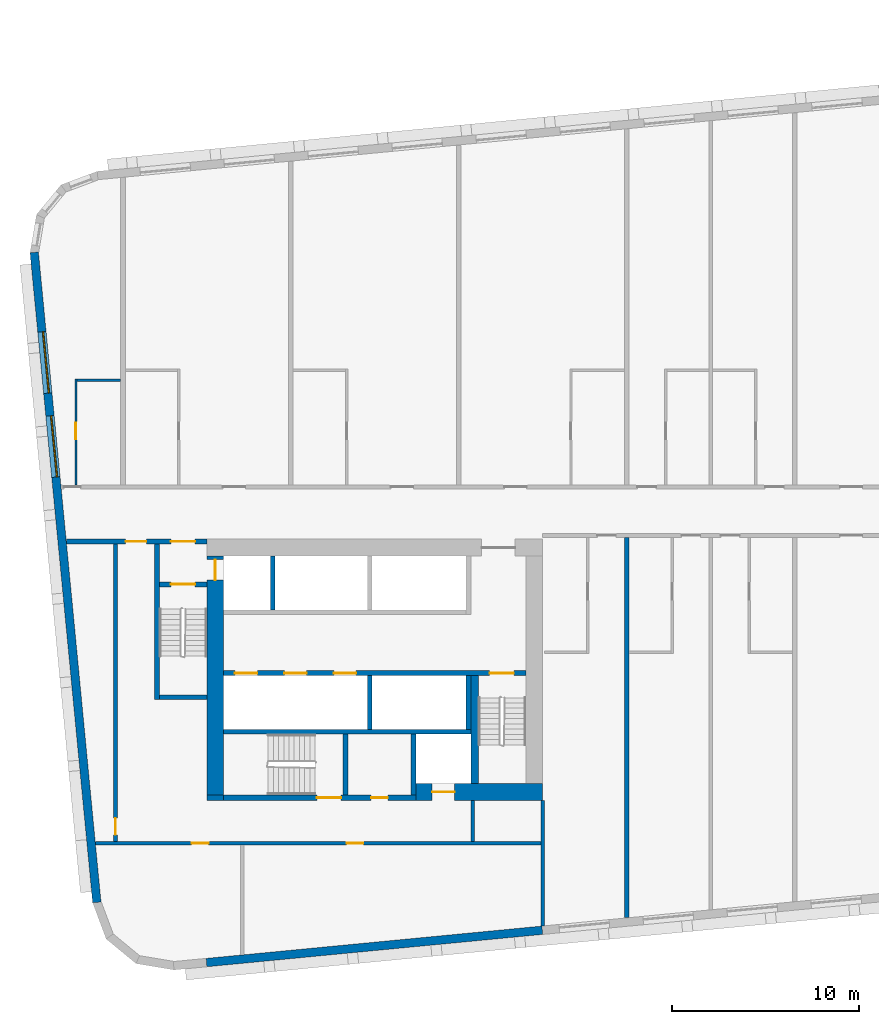
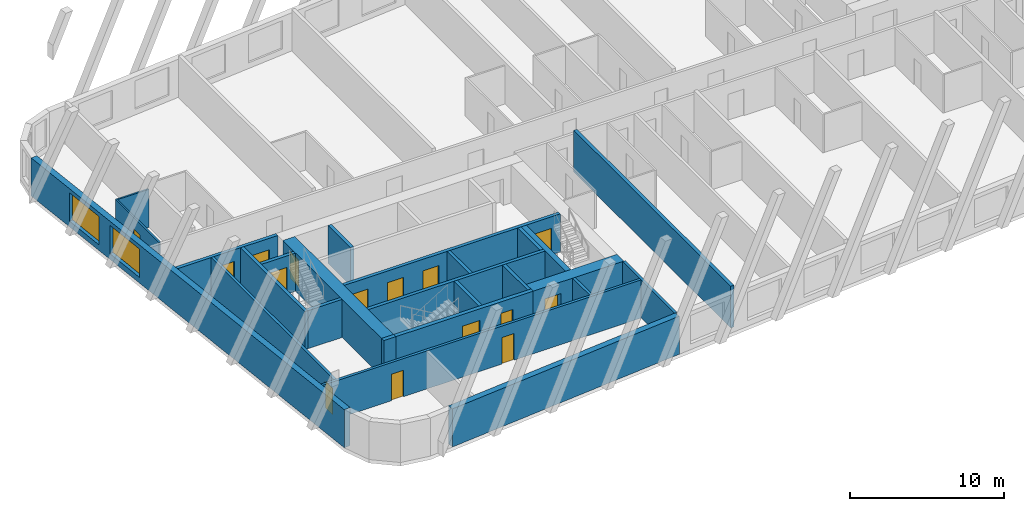
# One storey, part 2 of 13: 25 walls, 15 doors, 2 windows, 17 openings.
"""IFC4 building model written with IfcOpenShell, lengths in metres."""

from ifc_helpers import new_model, si_unit, direction, frame, frame_2d, origin, place, context, subcontext, project, spatial, rectangle, extrude, material, layer, layer_set, type_object, element, fill, save


model = new_model("IFC4")

# Units and contexts
model_context = context("Model", 3, precision=1e-05, world=origin(), true_north=direction((0.0, 1.0)))
body_context = subcontext(model_context, "Body", "Model", "MODEL_VIEW")
ifc_project = project(units=[si_unit("LENGTHUNIT", "METRE"), si_unit("AREAUNIT", "SQUARE_METRE"), si_unit("VOLUMEUNIT", "CUBIC_METRE"), si_unit("PLANEANGLEUNIT", "RADIAN"), si_unit("MASSUNIT", "GRAM", prefix="KILO")], contexts=[model_context])

# Site, building, storey
site_placement = place(None, origin())
site = spatial("IfcSite", under=ifc_project, at=site_placement, CompositionType="ELEMENT")
building_placement = place(site_placement, origin())
building = spatial("IfcBuilding", under=site, at=building_placement, Name="Kajstack Hotel Tower", CompositionType="ELEMENT")
storey_placement = place(building_placement, frame((0.0, 0.0, 140.5)))
storey = spatial("IfcBuildingStorey", under=building, at=storey_placement, Name="L32", CompositionType="ELEMENT", Elevation=140.5)

# Wall, opening, door
ifc_material_1 = material(Name="Concrete C60/75", Category="concrete")
ifc_layer_1 = layer(ifc_material_1, 0.89990234375)
ifc_layer_set_1 = layer_set([ifc_layer_1], Name="Core wall 900")
wall_type_1 = type_object("IfcWallType", Name="Core wall 900", PredefinedType="SHEAR", material=ifc_layer_set_1)
wall_1_placement = place(storey_placement, frame((-20.300048828125, -15.050048828125, 0.0), z_axis=(0.0, 0.0, 1.0), x_axis=(1.0, 0.0, 0.0)))
wall_1 = element("IfcWall", 1, at=wall_1_placement, inside=storey, type_object=wall_type_1, Name="Core wall W RS", PredefinedType="SHEAR", context=body_context, shape_type="SweptSolid", body=[
    extrude(rectangle(XDim=6.800048828125, YDim=0.89990234375, at=frame_2d((3.39990234375, 0.0))), origin(), (0.0, 0.0, 1.0), 3.02001953125),
])
opening_1_placement = place(wall_1_placement, frame((0.875, 0.0, 0.0)))
opening_1 = element("IfcOpeningElement", 2, at=opening_1_placement, cuts=wall_1, Name="Opening LD-SV1", PredefinedType="OPENING", context=body_context, shape_type="SweptSolid", body=[
    extrude(rectangle(XDim=1.199951171875, YDim=2.10009765625, at=frame_2d((0.60009765625, 1.050048828125))), frame((0.0, 0.4599609375, 0.0), z_axis=(0.0, -1.0, 0.0), x_axis=(1.0, 0.0, 0.0)), (0.0, 0.0, 1.0), 0.919921875),
])
ifc_material_2 = material(Name="Stainless steel", Category="steel")
door_type_1 = type_object("IfcDoorType", Name="Lift landing door 1200", OperationType="SLIDING_TO_LEFT", PredefinedType="DOOR", material=ifc_material_2)
door_1_placement = place(opening_1_placement, origin())
door_1 = element("IfcDoor", 3, at=door_1_placement, inside=storey, type_object=door_type_1, Name="Landing door SV1", OperationType="SLIDING_TO_LEFT", OverallHeight=2.10009765625, OverallWidth=1.199951171875, PredefinedType="DOOR", context=body_context, shape_type="SweptSolid", body=[
    extrude(rectangle(XDim=1.199951171875, YDim=2.10009765625, at=frame_2d((0.60009765625, 1.050048828125))), frame((0.0, 0.02490234375, 0.0), z_axis=(0.0, -1.0, 0.0), x_axis=(1.0, 0.0, 0.0)), (0.0, 0.0, 1.0), 0.050048828125),
])
fill(opening_1, door_1)

# Wall
wall_2_placement = place(storey_placement, frame((-31.5, -15.35009765625, 0.0), z_axis=(0.0, 0.0, 1.0), x_axis=(1.0, 0.0, 0.0)))
element("IfcWall", 4, at=wall_2_placement, inside=storey, type_object=wall_type_1, Name="Core wall W RSW", PredefinedType="SHEAR", context=body_context, shape_type="SweptSolid", body=[
    extrude(rectangle(XDim=0.89990234375, YDim=0.300048828125, at=frame_2d((0.449951171875, 0.0))), origin(), (0.0, 0.0, 1.0), 3.02001953125),
])

# Wall, opening, door
wall_3_placement = place(storey_placement, frame((-31.050048828125, -15.199951171875, 0.0), z_axis=(0.0, 0.0, 1.0), x_axis=(0.0, 1.0, 0.0)))
wall_3 = element("IfcWall", 5, at=wall_3_placement, inside=storey, type_object=wall_type_1, Name="Core wall W RW", PredefinedType="SHEAR", context=body_context, shape_type="SweptSolid", body=[
    extrude(rectangle(XDim=12.800048828125, YDim=0.89990234375, at=frame_2d((6.39990234375, 0.0))), origin(), (0.0, 0.0, 1.0), 3.02001953125),
])
opening_2_placement = place(wall_3_placement, frame((11.5, 0.0, 0.0)))
opening_2 = element("IfcOpeningElement", 6, at=opening_2_placement, cuts=wall_3, Name="Opening LD-FF1", PredefinedType="OPENING", context=body_context, shape_type="SweptSolid", body=[
    extrude(rectangle(XDim=1.10009765625, YDim=2.10009765625, at=frame_2d((0.550048828125, 1.050048828125))), frame((0.0, 0.4599609375, 0.0), z_axis=(0.0, -1.0, 0.0), x_axis=(1.0, 0.0, 0.0)), (0.0, 0.0, 1.0), 0.919921875),
])
door_type_2 = type_object("IfcDoorType", Name="Fire-fighting lift landing door 1100", OperationType="SLIDING_TO_LEFT", PredefinedType="DOOR", material=ifc_material_2)
door_2_placement = place(opening_2_placement, origin())
door_2 = element("IfcDoor", 7, at=door_2_placement, inside=storey, type_object=door_type_2, Name="Landing door FF1", OperationType="SLIDING_TO_RIGHT", OverallHeight=2.10009765625, OverallWidth=1.10009765625, PredefinedType="DOOR", context=body_context, shape_type="SweptSolid", body=[
    extrude(rectangle(XDim=1.10009765625, YDim=2.10009765625, at=frame_2d((0.550048828125, 1.050048828125))), frame((0.0, 0.02490234375, 0.0), z_axis=(0.0, -1.0, 0.0), x_axis=(1.0, 0.0, 0.0)), (0.0, 0.0, 1.0), 0.050048828125),
])
fill(opening_2, door_2)

# Walls
ifc_material_3 = material(Name="Twin-frame gypsum board on steel studs, mineral wool", Category="steel")
ifc_layer_2 = layer(ifc_material_3, 0.199951171875)
ifc_layer_set_2 = layer_set([ifc_layer_2], Name="Demising wall 200")
wall_type_2 = type_object("IfcWallType", Name="Demising wall 200", PredefinedType="PARTITIONING", material=ifc_layer_set_2)
wall_4_placement = place(storey_placement, frame((-13.5, -22.23193359375, 0.0), z_axis=(0.0, 0.0, 1.0), x_axis=(0.0, 1.0, 0.0)))
element("IfcWall", 8, at=wall_4_placement, inside=storey, type_object=wall_type_2, Name="G-wall-L32-002", PredefinedType="PARTITIONING", context=body_context, shape_type="SweptSolid", body=[
    extrude(rectangle(XDim=6.73193359375, YDim=0.199951171875, at=frame_2d((3.365966796875, 0.0))), origin(), (0.0, 0.0, 1.0), 3.02001953125),
])
ifc_material_4 = material(Name="Concrete C40/50", Category="concrete")
ifc_layer_3 = layer(ifc_material_4, 0.449951171875)
ifc_layer_set_3 = layer_set([ifc_layer_3], Name="EW-CORE")
wall_type_3 = type_object("IfcWallType", Name="EW-CORE", PredefinedType="SOLIDWALL", material=ifc_layer_set_3)
wall_5_placement = place(storey_placement, frame((-31.521484375, -24.193603515625, 0.0), z_axis=(0.0, 0.0, 1.0), x_axis=(0.995396454615, 0.095843091245, 0.0)))
element("IfcWall", 9, at=wall_5_placement, inside=storey, type_object=wall_type_3, Name="E-wall-L32-04-01", PredefinedType="SOLIDWALL", context=body_context, shape_type="SweptSolid", body=[
    extrude(rectangle(XDim=18.083251953125, YDim=0.449951171875, at=frame_2d((9.04150390625, 0.0))), origin(), (0.0, 0.0, 1.0), 3.02001953125),
])

# Wall, openings, windows
ifc_material_5 = material(Name="Terracotta-faced brick masonry", Category="masonry")
ifc_layer_4 = layer(ifc_material_5, 0.449951171875)
ifc_layer_set_4 = layer_set([ifc_layer_4], Name="EW-TERRA")
wall_type_4 = type_object("IfcWallType", Name="EW-TERRA", PredefinedType="SOLIDWALL", material=ifc_layer_set_4)
wall_6_placement = place(storey_placement, frame((-40.7529296875, 13.87158203125, 0.0), z_axis=(0.0, 0.0, 1.0), x_axis=(0.095843327381, -0.995396431878, 0.0)))
wall_6 = element("IfcWall", 10, at=wall_6_placement, inside=storey, type_object=wall_type_4, Name="E-wall-L32-00-00", PredefinedType="SOLIDWALL", context=body_context, shape_type="SweptSolid", body=[
    extrude(rectangle(XDim=34.999755859375, YDim=0.449951171875, at=frame_2d((17.5, 0.0))), origin(), (0.0, 0.0, 1.0), 3.02001953125),
])
opening_3_placement = place(wall_6_placement, frame((4.27734375, 0.0, 0.449951171875)))
opening_3 = element("IfcOpeningElement", 11, at=opening_3_placement, cuts=wall_6, Name="Opening W2", PredefinedType="OPENING", context=body_context, shape_type="SweptSolid", body=[
    extrude(rectangle(XDim=3.300048828125, YDim=2.25, at=frame_2d((1.64990234375, 1.125))), frame((0.0, 0.23486328125, 0.0), z_axis=(0.0, -1.0, 0.0), x_axis=(1.0, 0.0, 0.0)), (0.0, 0.0, 1.0), 0.469970703125),
])
opening_4_placement = place(wall_6_placement, frame((8.798095703125, 0.0, 0.449951171875)))
opening_4 = element("IfcOpeningElement", 12, at=opening_4_placement, cuts=wall_6, Name="Opening W2", PredefinedType="OPENING", context=body_context, shape_type="SweptSolid", body=[
    extrude(rectangle(XDim=3.300048828125, YDim=2.25, at=frame_2d((1.64990234375, 1.125))), frame((0.0, 0.23486328125, 0.0), z_axis=(0.0, -1.0, 0.0), x_axis=(1.0, 0.0, 0.0)), (0.0, 0.0, 1.0), 0.469970703125),
])
ifc_material_6 = material(Name="Timber-aluminium window, triple glazed", Category="wood")
window_type = type_object("IfcWindowType", Name="WG2", PartitioningType="SINGLE_PANEL", PredefinedType="WINDOW", material=ifc_material_6)
window_1_placement = place(opening_3_placement, origin())
window_1 = element("IfcWindow", 13, at=window_1_placement, inside=storey, type_object=window_type, Name="Window W2 L32-00", OverallHeight=2.25, OverallWidth=3.300048828125, PartitioningType="SINGLE_PANEL", PredefinedType="WINDOW", context=body_context, shape_type="SweptSolid", body=[
    extrude(rectangle(XDim=3.300048828125, YDim=2.25, at=frame_2d((1.64990234375, 1.125))), frame((0.0, 0.090087890625, 0.0), z_axis=(0.0, -1.0, 0.0), x_axis=(1.0, 0.0, 0.0)), (0.0, 0.0, 1.0), 0.06005859375),
])
fill(opening_3, window_1)
window_2_placement = place(opening_4_placement, origin())
window_2 = element("IfcWindow", 14, at=window_2_placement, inside=storey, type_object=window_type, Name="Window W2 L32-00", OverallHeight=2.25, OverallWidth=3.300048828125, PartitioningType="SINGLE_PANEL", PredefinedType="WINDOW", context=body_context, shape_type="SweptSolid", body=[
    extrude(rectangle(XDim=3.300048828125, YDim=2.25, at=frame_2d((1.64990234375, 1.125))), frame((0.0, 0.090087890625, 0.0), z_axis=(0.0, -1.0, 0.0), x_axis=(1.0, 0.0, 0.0)), (0.0, 0.0, 1.0), 0.06005859375),
])
fill(opening_4, window_2)

# Wall, opening, door
ifc_material_7 = material(Name="Gypsum board and tiled backer on steel studs", Category="steel")
ifc_layer_5 = layer(ifc_material_7, 0.125)
ifc_layer_set_5 = layer_set([ifc_layer_5], Name="En-suite wall 125")
wall_type_5 = type_object("IfcWallType", Name="En-suite wall 125", PredefinedType="PARTITIONING", material=ifc_layer_set_5)
wall_7_placement = place(storey_placement, frame((-38.51904296875, 1.39990234375, 0.0), z_axis=(0.0, 0.0, 1.0), x_axis=(0.0, 1.0, 0.0)))
wall_7 = element("IfcWall", 15, at=wall_7_placement, inside=storey, type_object=wall_type_5, Name="G-wall-L32-004", PredefinedType="PARTITIONING", context=body_context, shape_type="SweptSolid", body=[
    extrude(rectangle(XDim=5.68408203125, YDim=0.125, at=frame_2d((2.842041015625, 0.0))), origin(), (0.0, 0.0, 1.0), 3.02001953125),
])
opening_5_placement = place(wall_7_placement, frame((2.449951171875, 0.0, 0.0)))
opening_5 = element("IfcOpeningElement", 16, at=opening_5_placement, cuts=wall_7, Name="Opening 32002", PredefinedType="OPENING", context=body_context, shape_type="SweptSolid", body=[
    extrude(rectangle(XDim=0.89990234375, YDim=2.10009765625, at=frame_2d((0.449951171875, 1.050048828125))), frame((0.0, 0.072509765625, 0.0), z_axis=(0.0, -1.0, 0.0), x_axis=(1.0, 0.0, 0.0)), (0.0, 0.0, 1.0), 0.14501953125),
])
ifc_material_8 = material(Name="Painted timber door leaf", Category="wood")
door_type_3 = type_object("IfcDoorType", Name="Room door 900", OperationType="SINGLE_SWING_LEFT", PredefinedType="DOOR", material=ifc_material_8)
door_3_placement = place(opening_5_placement, origin())
door_3 = element("IfcDoor", 17, at=door_3_placement, inside=storey, type_object=door_type_3, Name="G-door-L32-02", OperationType="SINGLE_SWING_RIGHT", OverallHeight=2.10009765625, OverallWidth=0.89990234375, PredefinedType="DOOR", context=body_context, shape_type="SweptSolid", body=[
    extrude(rectangle(XDim=0.89990234375, YDim=2.10009765625, at=frame_2d((0.449951171875, 1.050048828125))), frame((0.0, 0.02490234375, 0.0), z_axis=(0.0, -1.0, 0.0), x_axis=(1.0, 0.0, 0.0)), (0.0, 0.0, 1.0), 0.050048828125),
])
fill(opening_5, door_3)

# Walls
wall_8_placement = place(storey_placement, frame((-38.45703125, 7.02197265625, 0.0), z_axis=(0.0, 0.0, 1.0), x_axis=(1.0, 0.0, 0.0)))
element("IfcWall", 18, at=wall_8_placement, inside=storey, type_object=wall_type_5, Name="G-wall-L32-005", PredefinedType="PARTITIONING", context=body_context, shape_type="SweptSolid", body=[
    extrude(rectangle(XDim=2.33203125, YDim=0.125, at=frame_2d((1.166015625, 0.0))), origin(), (0.0, 0.0, 1.0), 3.02001953125),
])
ifc_material_9 = material(Name="Concrete C50/60", Category="concrete")
ifc_layer_6 = layer(ifc_material_9, 0.300048828125)
ifc_layer_set_6 = layer_set([ifc_layer_6], Name="Hoistway divider wall 300")
wall_type_6 = type_object("IfcWallType", Name="Hoistway divider wall 300", PredefinedType="SHEAR", material=ifc_layer_set_6)
wall_9_placement = place(storey_placement, frame((-22.77490234375, -11.699951171875, 0.0), z_axis=(0.0, 0.0, 1.0), x_axis=(0.0, 1.0, 0.0)))
element("IfcWall", 19, at=wall_9_placement, inside=storey, type_object=wall_type_6, Name="Core wall W BP2", PredefinedType="SHEAR", context=body_context, shape_type="SweptSolid", body=[
    extrude(rectangle(XDim=2.89990234375, YDim=0.25, at=frame_2d((1.449951171875, 0.0))), origin(), (0.0, 0.0, 1.0), 3.02001953125),
])
ifc_material_10 = material(Name="Concrete C55/67", Category="concrete")
ifc_layer_7 = layer(ifc_material_10, 0.25)
ifc_layer_set_7 = layer_set([ifc_layer_7], Name="RC cross wall 250 C55/67")
wall_type_7 = type_object("IfcWallType", Name="RC cross wall 250 C55/67", PredefinedType="SHEAR", material=ifc_layer_set_7)
wall_10_placement = place(storey_placement, frame((-9.0, -21.777099609375, 0.0), z_axis=(0.0, 0.0, 1.0), x_axis=(0.0, 1.0, 0.0)))
element("IfcWall", 20, at=wall_10_placement, inside=storey, type_object=wall_type_7, Name="S-wall-L32-04", PredefinedType="SHEAR", context=body_context, shape_type="SweptSolid", body=[
    extrude(rectangle(XDim=20.377197265625, YDim=0.25, at=frame_2d((10.1884765625, 0.0))), origin(), (0.0, 0.0, 1.0), 3.300048828125),
])

# Wall, openings, doors
ifc_material_11 = material(Name="Gypsum board on steel studs, mineral wool", Category="steel")
ifc_layer_8 = layer(ifc_material_11, 0.199951171875)
ifc_layer_set_8 = layer_set([ifc_layer_8], Name="Service partition 200")
wall_type_8 = type_object("IfcWallType", Name="Service partition 200", PredefinedType="PARTITIONING", material=ifc_layer_set_8)
wall_11_placement = place(storey_placement, frame((-39.034912109375, -1.625, 0.0), z_axis=(0.0, 0.0, 1.0), x_axis=(1.0, 0.0, 0.0)))
wall_11 = element("IfcWall", 21, at=wall_11_placement, inside=storey, type_object=wall_type_8, Name="Partition W SN", PredefinedType="PARTITIONING", context=body_context, shape_type="SweptSolid", body=[
    extrude(rectangle(XDim=7.534912109375, YDim=0.25, at=frame_2d((3.767578125, 0.0))), origin(), (0.0, 0.0, 1.0), 3.02001953125),
])
opening_6_placement = place(wall_11_placement, frame((5.60986328125, 0.0, 0.0)))
opening_6 = element("IfcOpeningElement", 22, at=opening_6_placement, cuts=wall_11, Name="Opening 32W07", PredefinedType="OPENING", context=body_context, shape_type="SweptSolid", body=[
    extrude(rectangle(XDim=1.300048828125, YDim=2.10009765625, at=frame_2d((0.64990234375, 1.050048828125))), frame((0.0, 0.135009765625, 0.0), z_axis=(0.0, -1.0, 0.0), x_axis=(1.0, 0.0, 0.0)), (0.0, 0.0, 1.0), 0.27001953125),
])
opening_7_placement = place(wall_11_placement, frame((3.184814453125, 0.0, 0.0)))
opening_7 = element("IfcOpeningElement", 23, at=opening_7_placement, cuts=wall_11, Name="Opening 32W09", PredefinedType="OPENING", context=body_context, shape_type="SweptSolid", body=[
    extrude(rectangle(XDim=1.10009765625, YDim=2.10009765625, at=frame_2d((0.550048828125, 1.050048828125))), frame((0.0, 0.135009765625, 0.0), z_axis=(0.0, -1.0, 0.0), x_axis=(1.0, 0.0, 0.0)), (0.0, 0.0, 1.0), 0.27001953125),
])
ifc_material_12 = material(Name="Steel leaf, fire-rated", Category="steel")
door_type_4 = type_object("IfcDoorType", Name="Fire lobby door 1300", OperationType="SINGLE_SWING_LEFT", PredefinedType="DOOR", material=ifc_material_12)
door_4_placement = place(opening_6_placement, origin())
door_4 = element("IfcDoor", 24, at=door_4_placement, inside=storey, type_object=door_type_4, Name="Door 32W07", OperationType="SINGLE_SWING_RIGHT", OverallHeight=2.10009765625, OverallWidth=1.300048828125, PredefinedType="DOOR", context=body_context, shape_type="SweptSolid", body=[
    extrude(rectangle(XDim=1.300048828125, YDim=2.10009765625, at=frame_2d((0.64990234375, 1.050048828125))), frame((0.0, 0.02490234375, 0.0), z_axis=(0.0, -1.0, 0.0), x_axis=(1.0, 0.0, 0.0)), (0.0, 0.0, 1.0), 0.050048828125),
])
fill(opening_6, door_4)
ifc_material_13 = material(Name="Timber leaf, fire-rated", Category="wood")
door_type_5 = type_object("IfcDoorType", Name="Service corridor door 1100", OperationType="SINGLE_SWING_LEFT", PredefinedType="DOOR", material=ifc_material_13)
door_5_placement = place(opening_7_placement, origin())
door_5 = element("IfcDoor", 25, at=door_5_placement, inside=storey, type_object=door_type_5, Name="Door 32W09", OperationType="SINGLE_SWING_RIGHT", OverallHeight=2.10009765625, OverallWidth=1.10009765625, PredefinedType="DOOR", context=body_context, shape_type="SweptSolid", body=[
    extrude(rectangle(XDim=1.10009765625, YDim=2.10009765625, at=frame_2d((0.550048828125, 1.050048828125))), frame((0.0, 0.02490234375, 0.0), z_axis=(0.0, -1.0, 0.0), x_axis=(1.0, 0.0, 0.0)), (0.0, 0.0, 1.0), 0.050048828125),
])
fill(opening_7, door_5)

# Wall
wall_12_placement = place(storey_placement, frame((-17.25, -17.699951171875, 0.0), z_axis=(0.0, 0.0, 1.0), x_axis=(0.0, 1.0, 0.0)))
element("IfcWall", 26, at=wall_12_placement, inside=storey, type_object=wall_type_8, Name="Partition W SCE", PredefinedType="PARTITIONING", context=body_context, shape_type="SweptSolid", body=[
    extrude(rectangle(XDim=2.199951171875, YDim=0.199951171875, at=frame_2d((1.10009765625, 0.0))), origin(), (0.0, 0.0, 1.0), 3.02001953125),
])

# Wall, opening, door
wall_13_placement = place(storey_placement, frame((-36.39990234375, -17.699951171875, 0.0), z_axis=(0.0, 0.0, 1.0), x_axis=(0.0, 1.0, 0.0)))
wall_13 = element("IfcWall", 27, at=wall_13_placement, inside=storey, type_object=wall_type_8, Name="Partition W WRE", PredefinedType="PARTITIONING", context=body_context, shape_type="SweptSolid", body=[
    extrude(rectangle(XDim=15.949951171875, YDim=0.199951171875, at=frame_2d((7.97509765625, 0.0))), origin(), (0.0, 0.0, 1.0), 3.02001953125),
])
opening_8_placement = place(wall_13_placement, frame((0.35009765625, 0.0, 0.0)))
opening_8 = element("IfcOpeningElement", 28, at=opening_8_placement, cuts=wall_13, Name="Opening 32W15", PredefinedType="OPENING", context=body_context, shape_type="SweptSolid", body=[
    extrude(rectangle(XDim=0.89990234375, YDim=2.10009765625, at=frame_2d((0.449951171875, 1.050048828125))), frame((0.0, 0.10986328125, 0.0), z_axis=(0.0, -1.0, 0.0), x_axis=(1.0, 0.0, 0.0)), (0.0, 0.0, 1.0), 0.219970703125),
])
door_type_6 = type_object("IfcDoorType", Name="Service door 900", OperationType="SINGLE_SWING_LEFT", PredefinedType="DOOR", material=ifc_material_13)
door_6_placement = place(opening_8_placement, origin())
door_6 = element("IfcDoor", 29, at=door_6_placement, inside=storey, type_object=door_type_6, Name="Door 32W15", OperationType="SINGLE_SWING_LEFT", OverallHeight=2.10009765625, OverallWidth=0.89990234375, PredefinedType="DOOR", context=body_context, shape_type="SweptSolid", body=[
    extrude(rectangle(XDim=0.89990234375, YDim=2.10009765625, at=frame_2d((0.449951171875, 1.050048828125))), frame((0.0, 0.02490234375, 0.0), z_axis=(0.0, -1.0, 0.0), x_axis=(1.0, 0.0, 0.0)), (0.0, 0.0, 1.0), 0.050048828125),
])
fill(opening_8, door_6)

# Wall, openings, doors
wall_14_placement = place(storey_placement, frame((-37.477294921875, -17.800048828125, 0.0), z_axis=(0.0, 0.0, 1.0), x_axis=(1.0, 0.0, 0.0)))
wall_14 = element("IfcWall", 30, at=wall_14_placement, inside=storey, type_object=wall_type_8, Name="Partition W SLN", PredefinedType="PARTITIONING", context=body_context, shape_type="SweptSolid", body=[
    extrude(rectangle(XDim=23.877197265625, YDim=0.199951171875, at=frame_2d((11.9384765625, 0.0))), origin(), (0.0, 0.0, 1.0), 3.02001953125),
])
opening_9_placement = place(wall_14_placement, frame((5.164794921875, 0.0, 0.0)))
opening_9 = element("IfcOpeningElement", 31, at=opening_9_placement, cuts=wall_14, Name="Opening 32W13", PredefinedType="OPENING", context=body_context, shape_type="SweptSolid", body=[
    extrude(rectangle(XDim=0.89990234375, YDim=2.10009765625, at=frame_2d((0.449951171875, 1.050048828125))), frame((0.0, 0.10986328125, 0.0), z_axis=(0.0, -1.0, 0.0), x_axis=(1.0, 0.0, 0.0)), (0.0, 0.0, 1.0), 0.219970703125),
])
opening_10_placement = place(wall_14_placement, frame((13.46484375, 0.0, 0.0)))
opening_10 = element("IfcOpeningElement", 32, at=opening_10_placement, cuts=wall_14, Name="Opening 32W14", PredefinedType="OPENING", context=body_context, shape_type="SweptSolid", body=[
    extrude(rectangle(XDim=0.89990234375, YDim=2.10009765625, at=frame_2d((0.449951171875, 1.050048828125))), frame((0.0, 0.10986328125, 0.0), z_axis=(0.0, -1.0, 0.0), x_axis=(1.0, 0.0, 0.0)), (0.0, 0.0, 1.0), 0.219970703125),
])
door_7_placement = place(opening_9_placement, origin())
door_7 = element("IfcDoor", 33, at=door_7_placement, inside=storey, type_object=door_type_6, Name="Door 32W13", OperationType="SINGLE_SWING_RIGHT", OverallHeight=2.10009765625, OverallWidth=0.89990234375, PredefinedType="DOOR", context=body_context, shape_type="SweptSolid", body=[
    extrude(rectangle(XDim=0.89990234375, YDim=2.10009765625, at=frame_2d((0.449951171875, 1.050048828125))), frame((0.0, 0.02490234375, 0.0), z_axis=(0.0, -1.0, 0.0), x_axis=(1.0, 0.0, 0.0)), (0.0, 0.0, 1.0), 0.050048828125),
])
fill(opening_9, door_7)
door_8_placement = place(opening_10_placement, origin())
door_8 = element("IfcDoor", 34, at=door_8_placement, inside=storey, type_object=door_type_6, Name="Door 32W14", OperationType="SINGLE_SWING_RIGHT", OverallHeight=2.10009765625, OverallWidth=0.89990234375, PredefinedType="DOOR", context=body_context, shape_type="SweptSolid", body=[
    extrude(rectangle(XDim=0.89990234375, YDim=2.10009765625, at=frame_2d((0.449951171875, 1.050048828125))), frame((0.0, 0.02490234375, 0.0), z_axis=(0.0, -1.0, 0.0), x_axis=(1.0, 0.0, 0.0)), (0.0, 0.0, 1.0), 0.050048828125),
])
fill(opening_10, door_8)

ifc_layer_9 = layer(ifc_material_9, 0.25)
ifc_layer_set_9 = layer_set([ifc_layer_9], Name="Shaft wall 250")
wall_type_9 = type_object("IfcWallType", Name="Shaft wall 250", PredefinedType="SHEAR", material=ifc_layer_set_9)
wall_15_placement = place(storey_placement, frame((-30.60009765625, -15.35009765625, 0.0), z_axis=(0.0, 0.0, 1.0), x_axis=(1.0, 0.0, 0.0)))
wall_15 = element("IfcWall", 35, at=wall_15_placement, inside=storey, type_object=wall_type_9, Name="Core wall W RSS", PredefinedType="SHEAR", context=body_context, shape_type="SweptSolid", body=[
    extrude(rectangle(XDim=10.300048828125, YDim=0.300048828125, at=frame_2d((5.14990234375, 0.0))), origin(), (0.0, 0.0, 1.0), 3.02001953125),
])
opening_11_placement = place(wall_15_placement, frame((5.0, 0.0, 0.0)))
opening_11 = element("IfcOpeningElement", 36, at=opening_11_placement, cuts=wall_15, Name="Opening 32W11", PredefinedType="OPENING", context=body_context, shape_type="SweptSolid", body=[
    extrude(rectangle(XDim=1.300048828125, YDim=2.10009765625, at=frame_2d((0.64990234375, 1.050048828125))), frame((0.0, 0.159912109375, 0.0), z_axis=(0.0, -1.0, 0.0), x_axis=(1.0, 0.0, 0.0)), (0.0, 0.0, 1.0), 0.320068359375),
])
opening_12_placement = place(wall_15_placement, frame((7.89990234375, 0.0, 0.0)))
opening_12 = element("IfcOpeningElement", 37, at=opening_12_placement, cuts=wall_15, Name="Opening 32W12", PredefinedType="OPENING", context=body_context, shape_type="SweptSolid", body=[
    extrude(rectangle(XDim=0.89990234375, YDim=2.10009765625, at=frame_2d((0.449951171875, 1.050048828125))), frame((0.0, 0.159912109375, 0.0), z_axis=(0.0, -1.0, 0.0), x_axis=(1.0, 0.0, 0.0)), (0.0, 0.0, 1.0), 0.320068359375),
])
door_9_placement = place(opening_12_placement, origin())
door_9 = element("IfcDoor", 38, at=door_9_placement, inside=storey, type_object=door_type_6, Name="Door 32W12", OperationType="SINGLE_SWING_LEFT", OverallHeight=2.10009765625, OverallWidth=0.89990234375, PredefinedType="DOOR", context=body_context, shape_type="SweptSolid", body=[
    extrude(rectangle(XDim=0.89990234375, YDim=2.10009765625, at=frame_2d((0.449951171875, 1.050048828125))), frame((0.0, 0.02490234375, 0.0), z_axis=(0.0, -1.0, 0.0), x_axis=(1.0, 0.0, 0.0)), (0.0, 0.0, 1.0), 0.050048828125),
])
fill(opening_12, door_9)
door_type_7 = type_object("IfcDoorType", Name="Stair door 1300", OperationType="SINGLE_SWING_LEFT", PredefinedType="DOOR", material=ifc_material_12)
door_10_placement = place(opening_11_placement, origin())
door_10 = element("IfcDoor", 39, at=door_10_placement, inside=storey, type_object=door_type_7, Name="Door 32W11", OperationType="SINGLE_SWING_RIGHT", OverallHeight=2.10009765625, OverallWidth=1.300048828125, PredefinedType="DOOR", context=body_context, shape_type="SweptSolid", body=[
    extrude(rectangle(XDim=1.300048828125, YDim=2.10009765625, at=frame_2d((0.64990234375, 1.050048828125))), frame((0.0, 0.02490234375, 0.0), z_axis=(0.0, -1.0, 0.0), x_axis=(1.0, 0.0, 0.0)), (0.0, 0.0, 1.0), 0.050048828125),
])
fill(opening_11, door_10)

# Wall
wall_16_placement = place(storey_placement, frame((-27.97509765625, -5.300048828125, 0.0), z_axis=(0.0, 0.0, 1.0), x_axis=(0.0, 1.0, 0.0)))
element("IfcWall", 40, at=wall_16_placement, inside=storey, type_object=wall_type_9, Name="Core wall W AP0", PredefinedType="SHEAR", context=body_context, shape_type="SweptSolid", body=[
    extrude(rectangle(XDim=2.900146484375, YDim=0.25, at=frame_2d((1.4501953125, 0.0))), origin(), (0.0, 0.0, 1.0), 3.02001953125),
])

# Wall, openings, doors
wall_17_placement = place(storey_placement, frame((-30.60009765625, -8.675048828125, 0.0), z_axis=(0.0, 0.0, 1.0), x_axis=(1.0, 0.0, 0.0)))
wall_17 = element("IfcWall", 41, at=wall_17_placement, inside=storey, type_object=wall_type_9, Name="Core wall W FB", PredefinedType="SHEAR", context=body_context, shape_type="SweptSolid", body=[
    extrude(rectangle(XDim=16.2001953125, YDim=0.25, at=frame_2d((8.10009765625, 0.0))), origin(), (0.0, 0.0, 1.0), 3.02001953125),
])
opening_13_placement = place(wall_17_placement, frame((0.60009765625, 0.0, 0.0)))
opening_13 = element("IfcOpeningElement", 42, at=opening_13_placement, cuts=wall_17, Name="Opening LD-LR1", PredefinedType="OPENING", context=body_context, shape_type="SweptSolid", body=[
    extrude(rectangle(XDim=1.199951171875, YDim=2.10009765625, at=frame_2d((0.60009765625, 1.050048828125))), frame((0.0, 0.135009765625, 0.0), z_axis=(0.0, -1.0, 0.0), x_axis=(1.0, 0.0, 0.0)), (0.0, 0.0, 1.0), 0.27001953125),
])
opening_14_placement = place(wall_17_placement, frame((3.25, 0.0, 0.0)))
opening_14 = element("IfcOpeningElement", 43, at=opening_14_placement, cuts=wall_17, Name="Opening LD-LR2", PredefinedType="OPENING", context=body_context, shape_type="SweptSolid", body=[
    extrude(rectangle(XDim=1.199951171875, YDim=2.10009765625, at=frame_2d((0.60009765625, 1.050048828125))), frame((0.0, 0.135009765625, 0.0), z_axis=(0.0, -1.0, 0.0), x_axis=(1.0, 0.0, 0.0)), (0.0, 0.0, 1.0), 0.27001953125),
])
opening_15_placement = place(wall_17_placement, frame((5.89990234375, 0.0, 0.0)))
opening_15 = element("IfcOpeningElement", 44, at=opening_15_placement, cuts=wall_17, Name="Opening LD-LR3", PredefinedType="OPENING", context=body_context, shape_type="SweptSolid", body=[
    extrude(rectangle(XDim=1.199951171875, YDim=2.10009765625, at=frame_2d((0.60009765625, 1.050048828125))), frame((0.0, 0.135009765625, 0.0), z_axis=(0.0, -1.0, 0.0), x_axis=(1.0, 0.0, 0.0)), (0.0, 0.0, 1.0), 0.27001953125),
])
opening_16_placement = place(wall_17_placement, frame((14.25, 0.0, 0.0)))
opening_16 = element("IfcOpeningElement", 45, at=opening_16_placement, cuts=wall_17, Name="Opening 32W10", PredefinedType="OPENING", context=body_context, shape_type="SweptSolid", body=[
    extrude(rectangle(XDim=1.300048828125, YDim=2.10009765625, at=frame_2d((0.64990234375, 1.050048828125))), frame((0.0, 0.135009765625, 0.0), z_axis=(0.0, -1.0, 0.0), x_axis=(1.0, 0.0, 0.0)), (0.0, 0.0, 1.0), 0.27001953125),
])
door_11_placement = place(opening_13_placement, origin())
door_11 = element("IfcDoor", 46, at=door_11_placement, inside=storey, type_object=door_type_1, Name="Landing door LR1", OperationType="SLIDING_TO_LEFT", OverallHeight=2.10009765625, OverallWidth=1.199951171875, PredefinedType="DOOR", context=body_context, shape_type="SweptSolid", body=[
    extrude(rectangle(XDim=1.199951171875, YDim=2.10009765625, at=frame_2d((0.60009765625, 1.050048828125))), frame((0.0, 0.02490234375, 0.0), z_axis=(0.0, -1.0, 0.0), x_axis=(1.0, 0.0, 0.0)), (0.0, 0.0, 1.0), 0.050048828125),
])
fill(opening_13, door_11)
door_12_placement = place(opening_14_placement, origin())
door_12 = element("IfcDoor", 47, at=door_12_placement, inside=storey, type_object=door_type_1, Name="Landing door LR2", OperationType="SLIDING_TO_RIGHT", OverallHeight=2.10009765625, OverallWidth=1.199951171875, PredefinedType="DOOR", context=body_context, shape_type="SweptSolid", body=[
    extrude(rectangle(XDim=1.199951171875, YDim=2.10009765625, at=frame_2d((0.60009765625, 1.050048828125))), frame((0.0, 0.02490234375, 0.0), z_axis=(0.0, -1.0, 0.0), x_axis=(1.0, 0.0, 0.0)), (0.0, 0.0, 1.0), 0.050048828125),
])
fill(opening_14, door_12)
door_13_placement = place(opening_15_placement, origin())
door_13 = element("IfcDoor", 48, at=door_13_placement, inside=storey, type_object=door_type_1, Name="Landing door LR3", OperationType="SLIDING_TO_RIGHT", OverallHeight=2.10009765625, OverallWidth=1.199951171875, PredefinedType="DOOR", context=body_context, shape_type="SweptSolid", body=[
    extrude(rectangle(XDim=1.199951171875, YDim=2.10009765625, at=frame_2d((0.60009765625, 1.050048828125))), frame((0.0, 0.02490234375, 0.0), z_axis=(0.0, -1.0, 0.0), x_axis=(1.0, 0.0, 0.0)), (0.0, 0.0, 1.0), 0.050048828125),
])
fill(opening_15, door_13)
door_14_placement = place(opening_16_placement, origin())
door_14 = element("IfcDoor", 49, at=door_14_placement, inside=storey, type_object=door_type_7, Name="Door 32W10", OperationType="SINGLE_SWING_RIGHT", OverallHeight=2.10009765625, OverallWidth=1.300048828125, PredefinedType="DOOR", context=body_context, shape_type="SweptSolid", body=[
    extrude(rectangle(XDim=1.300048828125, YDim=2.10009765625, at=frame_2d((0.64990234375, 1.050048828125))), frame((0.0, 0.02490234375, 0.0), z_axis=(0.0, -1.0, 0.0), x_axis=(1.0, 0.0, 0.0)), (0.0, 0.0, 1.0), 0.050048828125),
])
fill(opening_16, door_14)

# Walls
wall_18_placement = place(storey_placement, frame((-30.60009765625, -11.824951171875, 0.0), z_axis=(0.0, 0.0, 1.0), x_axis=(1.0, 0.0, 0.0)))
element("IfcWall", 50, at=wall_18_placement, inside=storey, type_object=wall_type_9, Name="Core wall W RB", PredefinedType="SHEAR", context=body_context, shape_type="SweptSolid", body=[
    extrude(rectangle(XDim=13.25, YDim=0.25, at=frame_2d((6.625, 0.0))), origin(), (0.0, 0.0, 1.0), 3.02001953125),
])
wall_19_placement = place(storey_placement, frame((-17.47509765625, -11.699951171875, 0.0), z_axis=(0.0, 0.0, 1.0), x_axis=(0.0, 1.0, 0.0)))
element("IfcWall", 51, at=wall_19_placement, inside=storey, type_object=wall_type_9, Name="Core wall W BE", PredefinedType="SHEAR", context=body_context, shape_type="SweptSolid", body=[
    extrude(rectangle(XDim=2.89990234375, YDim=0.25, at=frame_2d((1.449951171875, 0.0))), origin(), (0.0, 0.0, 1.0), 3.02001953125),
])
wall_20_placement = place(storey_placement, frame((-20.425048828125, -15.199951171875, 0.0), z_axis=(0.0, 0.0, 1.0), x_axis=(0.0, 1.0, 0.0)))
element("IfcWall", 52, at=wall_20_placement, inside=storey, type_object=wall_type_9, Name="Core wall W SVW", PredefinedType="SHEAR", context=body_context, shape_type="SweptSolid", body=[
    extrude(rectangle(XDim=3.25, YDim=0.25, at=frame_2d((1.625, 0.0))), origin(), (0.0, 0.0, 1.0), 3.02001953125),
])

# Wall, opening, door
ifc_layer_10 = layer(ifc_material_4, 0.25)
ifc_layer_set_10 = layer_set([ifc_layer_10], Name="Stair enclosure wall 250")
wall_type_10 = type_object("IfcWallType", Name="Stair enclosure wall 250", PredefinedType="SHEAR", material=ifc_layer_set_10)
wall_21_placement = place(storey_placement, frame((-34.050048828125, -3.925048828125, 0.0), z_axis=(0.0, 0.0, 1.0), x_axis=(1.0, 0.0, 0.0)))
wall_21 = element("IfcWall", 53, at=wall_21_placement, inside=storey, type_object=wall_type_10, Name="Core wall W W1N", PredefinedType="SHEAR", context=body_context, shape_type="SweptSolid", body=[
    extrude(rectangle(XDim=2.550048828125, YDim=0.25, at=frame_2d((1.27490234375, 0.0))), origin(), (0.0, 0.0, 1.0), 3.02001953125),
])
opening_17_placement = place(wall_21_placement, frame((0.625, 0.0, 0.0)))
opening_17 = element("IfcOpeningElement", 54, at=opening_17_placement, cuts=wall_21, Name="Opening 32W08", PredefinedType="OPENING", context=body_context, shape_type="SweptSolid", body=[
    extrude(rectangle(XDim=1.300048828125, YDim=2.10009765625, at=frame_2d((0.64990234375, 1.050048828125))), frame((0.0, 0.135009765625, 0.0), z_axis=(0.0, -1.0, 0.0), x_axis=(1.0, 0.0, 0.0)), (0.0, 0.0, 1.0), 0.27001953125),
])
door_15_placement = place(opening_17_placement, origin())
door_15 = element("IfcDoor", 55, at=door_15_placement, inside=storey, type_object=door_type_7, Name="Door 32W08", OperationType="SINGLE_SWING_RIGHT", OverallHeight=2.10009765625, OverallWidth=1.300048828125, PredefinedType="DOOR", context=body_context, shape_type="SweptSolid", body=[
    extrude(rectangle(XDim=1.300048828125, YDim=2.10009765625, at=frame_2d((0.64990234375, 1.050048828125))), frame((0.0, 0.02490234375, 0.0), z_axis=(0.0, -1.0, 0.0), x_axis=(1.0, 0.0, 0.0)), (0.0, 0.0, 1.0), 0.050048828125),
])
fill(opening_17, door_15)

# Walls
wall_22_placement = place(storey_placement, frame((-34.175048828125, -10.10009765625, 0.0), z_axis=(0.0, 0.0, 1.0), x_axis=(0.0, 1.0, 0.0)))
element("IfcWall", 56, at=wall_22_placement, inside=storey, type_object=wall_type_10, Name="Core wall W W1W", PredefinedType="SHEAR", context=body_context, shape_type="SweptSolid", body=[
    extrude(rectangle(XDim=8.35009765625, YDim=0.25, at=frame_2d((4.175048828125, 0.0))), origin(), (0.0, 0.0, 1.0), 3.02001953125),
])
wall_23_placement = place(storey_placement, frame((-34.050048828125, -9.97509765625, 0.0), z_axis=(0.0, 0.0, 1.0), x_axis=(1.0, 0.0, 0.0)))
element("IfcWall", 57, at=wall_23_placement, inside=storey, type_object=wall_type_10, Name="Core wall W W1S", PredefinedType="SHEAR", context=body_context, shape_type="SweptSolid", body=[
    extrude(rectangle(XDim=2.550048828125, YDim=0.25, at=frame_2d((1.27490234375, 0.0))), origin(), (0.0, 0.0, 1.0), 3.02001953125),
])
ifc_layer_11 = layer(ifc_material_9, 0.35009765625)
ifc_layer_set_11 = layer_set([ifc_layer_11], Name="Stair enclosure wall 350")
wall_type_11 = type_object("IfcWallType", Name="Stair enclosure wall 350", PredefinedType="SHEAR", material=ifc_layer_set_11)
wall_24_placement = place(storey_placement, frame((-24.074951171875, -15.199951171875, 0.0), z_axis=(0.0, 0.0, 1.0), x_axis=(0.0, 1.0, 0.0)))
element("IfcWall", 58, at=wall_24_placement, inside=storey, type_object=wall_type_11, Name="Core wall W W3E", PredefinedType="SHEAR", context=body_context, shape_type="SweptSolid", body=[
    extrude(rectangle(XDim=3.25, YDim=0.25, at=frame_2d((1.625, 0.0))), origin(), (0.0, 0.0, 1.0), 3.02001953125),
])
ifc_layer_12 = layer(ifc_material_9, 0.39990234375)
ifc_layer_set_12 = layer_set([ifc_layer_12], Name="Stair wall 400")
wall_type_12 = type_object("IfcWallType", Name="Stair wall 400", PredefinedType="SHEAR", material=ifc_layer_set_12)
wall_25_placement = place(storey_placement, frame((-17.14990234375, -14.60009765625, 0.0), z_axis=(0.0, 0.0, 1.0), x_axis=(0.0, 1.0, 0.0)))
element("IfcWall", 59, at=wall_25_placement, inside=storey, type_object=wall_type_12, Name="Core wall W WW2", PredefinedType="SHEAR", context=body_context, shape_type="SweptSolid", body=[
    extrude(rectangle(XDim=5.800048828125, YDim=0.39990234375, at=frame_2d((2.89990234375, 0.0))), origin(), (0.0, 0.0, 1.0), 3.02001953125),
])

save(model, "model.ifc")
